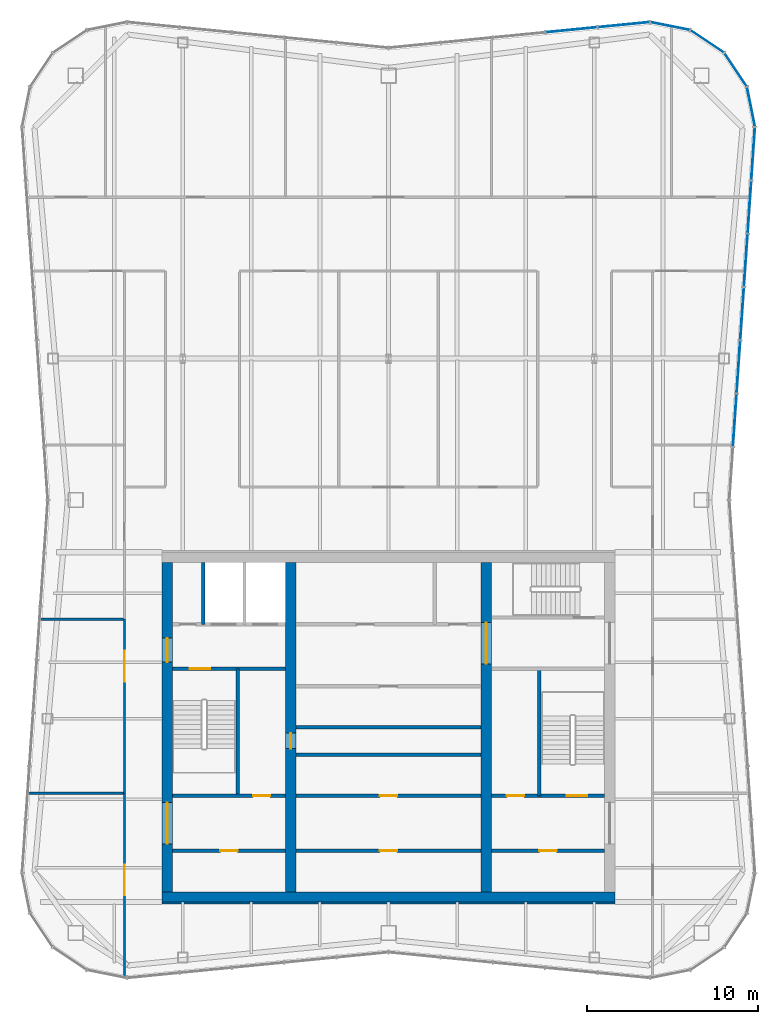
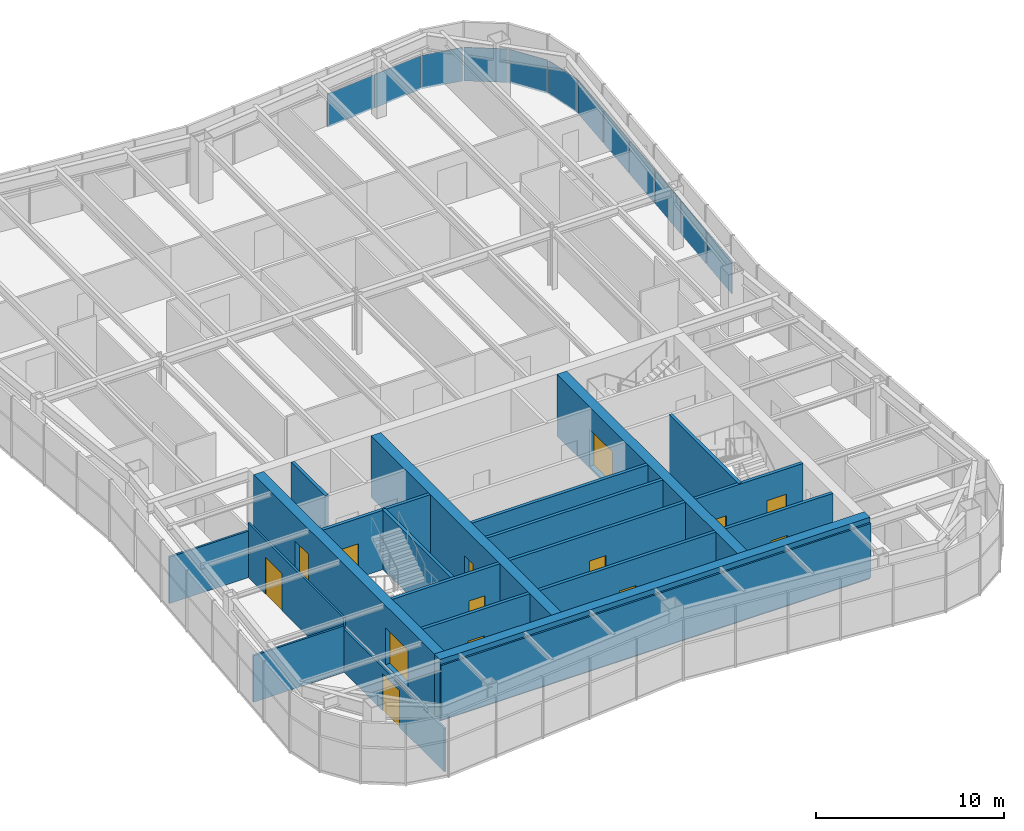
# One storey, part 9 of 13: 21 walls, 14 doors, 12 plates, 14 openings, 3 elements without a shape of their own.
"""IFC4 building model written with IfcOpenShell, lengths in metres."""

from ifc_helpers import new_model, si_unit, direction, frame, frame_2d, origin, origin_2d, place, context, subcontext, project, spatial, rectangle, extrude, material, layer, layer_set, type_object, element, fill, aggregate, save


model = new_model("IFC4")

# Units and contexts
model_context = context("Model", 3, precision=1e-05, world=origin(), true_north=direction((0.0, 1.0)))
body_context = subcontext(model_context, "Body", "Model", "MODEL_VIEW")
ifc_project = project(units=[si_unit("LENGTHUNIT", "METRE"), si_unit("AREAUNIT", "SQUARE_METRE"), si_unit("VOLUMEUNIT", "CUBIC_METRE"), si_unit("PLANEANGLEUNIT", "RADIAN"), si_unit("MASSUNIT", "GRAM", prefix="KILO")], contexts=[model_context])

# Site, building, storey
site_placement = place(None, origin())
site = spatial("IfcSite", under=ifc_project, at=site_placement, CompositionType="ELEMENT")
building_placement = place(site_placement, origin())
building = spatial("IfcBuilding", under=site, at=building_placement, Name="Verdant Reach Tower", CompositionType="ELEMENT")
storey_placement = place(building_placement, frame((0.0, 0.0, 364.0)))
storey = spatial("IfcBuildingStorey", under=building, at=storey_placement, Name="L82 Plant", CompositionType="ELEMENT", Elevation=364.0)

# Curtain wall, plates
ifc_material_1 = material(Name="Anodised aluminium", Category="aluminium")
curtain_wall_type = type_object("IfcCurtainWallType", Name="EN-CW SYSTEM PLANT", PredefinedType="NOTDEFINED", material=ifc_material_1)
curtain_wall_1_placement = place(storey_placement, origin())
curtain_wall_1 = element("IfcCurtainWall", 1, at=curtain_wall_1_placement, inside=storey, type_object=curtain_wall_type, Name="Curtain wall east, L82", PredefinedType="NOTDEFINED")
ifc_material_2 = material(Name="Bronze anodised aluminium solid panel", Category="aluminium")
ifc_layer_1 = layer(ifc_material_2, 0.0400390625)
ifc_layer_set_1 = layer_set([ifc_layer_1], Name="EN-PANEL SOLID")
plate_type = type_object("IfcPlateType", Name="EN-PANEL SOLID", PredefinedType="CURTAIN_PANEL", material=ifc_layer_set_1)
plate_1_placement = place(storey_placement, frame((20.190185546875, 45.902587890625, -0.2001953125), z_axis=(0.0, 0.0, 1.0), x_axis=(0.068802091615, 0.997630328423, 0.0)))
plate_1 = element("IfcPlate", 2, at=plate_1_placement, type_object=plate_type, Name="Solid panel east face part 2 2.1, L82", PredefinedType="CURTAIN_PANEL", context=body_context, shape_type="SweptSolid", body=[
    extrude(rectangle(XDim=3.03857421875, YDim=0.0400390625, at=origin_2d()), origin(), (0.0, 0.0, 1.0), 2.175048828125),
])
plate_2_placement = place(storey_placement, frame((20.404541015625, 49.009765625, -0.2001953125), z_axis=(0.0, 0.0, 1.0), x_axis=(0.068802091615, 0.997630328423, 0.0)))
plate_2 = element("IfcPlate", 3, at=plate_2_placement, type_object=plate_type, Name="Solid panel east face part 2 3.1, L82", PredefinedType="CURTAIN_PANEL", context=body_context, shape_type="SweptSolid", body=[
    extrude(rectangle(XDim=3.03857421875, YDim=0.0400390625, at=origin_2d()), origin(), (0.0, 0.0, 1.0), 2.175048828125),
])
plate_3_placement = place(storey_placement, frame((20.61865234375, 52.11669921875, -0.2001953125), z_axis=(0.0, 0.0, 1.0), x_axis=(0.068802091615, 0.997630328423, 0.0)))
plate_3 = element("IfcPlate", 4, at=plate_3_placement, type_object=plate_type, Name="Solid panel east face part 2 4.1, L82", PredefinedType="CURTAIN_PANEL", context=body_context, shape_type="SweptSolid", body=[
    extrude(rectangle(XDim=3.03857421875, YDim=0.0400390625, at=origin_2d()), origin(), (0.0, 0.0, 1.0), 2.175048828125),
])
plate_4_placement = place(storey_placement, frame((20.8330078125, 55.223876953125, -0.2001953125), z_axis=(0.0, 0.0, 1.0), x_axis=(0.068802091615, 0.997630328423, 0.0)))
plate_4 = element("IfcPlate", 5, at=plate_4_placement, type_object=plate_type, Name="Solid panel east face part 2 5.1, L82", PredefinedType="CURTAIN_PANEL", context=body_context, shape_type="SweptSolid", body=[
    extrude(rectangle(XDim=3.03857421875, YDim=0.0400390625, at=origin_2d()), origin(), (0.0, 0.0, 1.0), 2.175048828125),
])
plate_5_placement = place(storey_placement, frame((21.04736328125, 58.3310546875, -0.2001953125), z_axis=(0.0, 0.0, 1.0), x_axis=(0.068802091615, 0.997630328423, 0.0)))
plate_5 = element("IfcPlate", 6, at=plate_5_placement, type_object=plate_type, Name="Solid panel east face part 2 6.1, L82", PredefinedType="CURTAIN_PANEL", context=body_context, shape_type="SweptSolid", body=[
    extrude(rectangle(XDim=3.03857421875, YDim=0.0400390625, at=origin_2d()), origin(), (0.0, 0.0, 1.0), 2.175048828125),
])
plate_6_placement = place(storey_placement, frame((21.261474609375, 61.446044921875, -0.2001953125), z_axis=(0.0, 0.0, 1.0), x_axis=(0.068469163133, 0.997653233193, 0.0)))
plate_6 = element("IfcPlate", 7, at=plate_6_placement, type_object=plate_type, Name="Solid panel east face part 2 7.1, L82", PredefinedType="CURTAIN_PANEL", context=body_context, shape_type="SweptSolid", body=[
    extrude(rectangle(XDim=3.05419921875, YDim=0.0400390625, at=origin_2d()), origin(), (0.0, 0.0, 1.0), 2.175048828125),
])
aggregate(curtain_wall_1, [plate_1, plate_2, plate_3, plate_4, plate_5, plate_6])

curtain_wall_2_placement = place(storey_placement, origin())
curtain_wall_2 = element("IfcCurtainWall", 8, at=curtain_wall_2_placement, inside=storey, type_object=curtain_wall_type, Name="Curtain wall north-east corner, L82", PredefinedType="NOTDEFINED")
plate_7_placement = place(storey_placement, frame((21.135986328125, 64.174560546875, -0.2001953125), z_axis=(0.0, 0.0, 1.0), x_axis=(-0.195592962334, 0.980685165119, 0.0)))
plate_7 = element("IfcPlate", 9, at=plate_7_placement, type_object=plate_type, Name="Solid panel north-east corner 1.1, L82", PredefinedType="CURTAIN_PANEL", context=body_context, shape_type="SweptSolid", body=[
    extrude(rectangle(XDim=2.303955078125, YDim=0.0400390625, at=origin_2d()), origin(), (0.0, 0.0, 1.0), 2.175048828125),
])
plate_8_placement = place(storey_placement, frame((20.239990234375, 66.334228515625, -0.2001953125), z_axis=(0.0, 0.0, 1.0), x_axis=(-0.555596466265, 0.83145208321, 0.0)))
plate_8 = element("IfcPlate", 10, at=plate_8_placement, type_object=plate_type, Name="Solid panel north-east corner 2.1, L82", PredefinedType="CURTAIN_PANEL", context=body_context, shape_type="SweptSolid", body=[
    extrude(rectangle(XDim=2.3115234375, YDim=0.0400390625, at=origin_2d()), origin(), (0.0, 0.0, 1.0), 2.175048828125),
])
plate_9_placement = place(storey_placement, frame((18.584228515625, 67.989990234375, -0.2001953125), z_axis=(0.0, 0.0, 1.0), x_axis=(-0.83145208321, 0.555596466265, 0.0)))
plate_9 = element("IfcPlate", 11, at=plate_9_placement, type_object=plate_type, Name="Solid panel north-east corner 3.1, L82", PredefinedType="CURTAIN_PANEL", context=body_context, shape_type="SweptSolid", body=[
    extrude(rectangle(XDim=2.3115234375, YDim=0.0400390625, at=origin_2d()), origin(), (0.0, 0.0, 1.0), 2.175048828125),
])
plate_10_placement = place(storey_placement, frame((16.423828125, 68.885986328125, -0.2001953125), z_axis=(0.0, 0.0, 1.0), x_axis=(-0.980705120874, 0.195492879387, 0.0)))
plate_10 = element("IfcPlate", 12, at=plate_10_placement, type_object=plate_type, Name="Solid panel north-east corner 4.1, L82", PredefinedType="CURTAIN_PANEL", context=body_context, shape_type="SweptSolid", body=[
    extrude(rectangle(XDim=2.3056640625, YDim=0.0400390625, at=origin_2d()), origin(), (0.0, 0.0, 1.0), 2.175048828125),
])
aggregate(curtain_wall_2, [plate_7, plate_8, plate_9, plate_10])

curtain_wall_3_placement = place(storey_placement, origin())
curtain_wall_3 = element("IfcCurtainWall", 13, at=curtain_wall_3_placement, inside=storey, type_object=curtain_wall_type, Name="Curtain wall north, L82", PredefinedType="NOTDEFINED")
plate_11_placement = place(storey_placement, frame((13.72216796875, 68.96875, -0.2001953125), z_axis=(0.0, 0.0, 1.0), x_axis=(-0.995238191716, -0.097472774402, 0.0)))
plate_11 = element("IfcPlate", 14, at=plate_11_placement, type_object=plate_type, Name="Solid panel north face part 1 1.1, L82", PredefinedType="CURTAIN_PANEL", context=body_context, shape_type="SweptSolid", body=[
    extrude(rectangle(XDim=3.006103515625, YDim=0.0400390625, at=origin_2d()), origin(), (0.0, 0.0, 1.0), 2.175048828125),
])
plate_12_placement = place(storey_placement, frame((10.663330078125, 68.66845703125, -0.2001953125), z_axis=(0.0, 0.0, 1.0), x_axis=(-0.995197410875, -0.09788826992, 0.0)))
plate_12 = element("IfcPlate", 15, at=plate_12_placement, type_object=plate_type, Name="Solid panel north face part 1 2.1, L82", PredefinedType="CURTAIN_PANEL", context=body_context, shape_type="SweptSolid", body=[
    extrude(rectangle(XDim=2.98876953125, YDim=0.0400390625, at=origin_2d()), origin(), (0.0, 0.0, 1.0), 2.175048828125),
])
aggregate(curtain_wall_3, [plate_11, plate_12])

# Wall, opening, door
ifc_material_3 = material(Name="Gypsum board on steel studs", Category="steel")
ifc_layer_2 = layer(ifc_material_3, 0.199951171875)
ifc_layer_set_2 = layer_set([ifc_layer_2], Name="CO-WALL-ROOM")
wall_type_1 = type_object("IfcWallType", Name="CO-WALL-ROOM", PredefinedType="PARTITIONING", material=ifc_layer_set_2)
wall_1_placement = place(storey_placement, frame((-12.60009765625, 20.800048828125, 0.0), z_axis=(0.0, 0.0, 1.0), x_axis=(1.0, 0.0, 0.0)))
wall_1 = element("IfcWall", 16, at=wall_1_placement, inside=storey, type_object=wall_type_1, Name="Core partition, L82 Plant", PredefinedType="PARTITIONING", context=body_context, shape_type="SweptSolid", body=[
    extrude(rectangle(XDim=6.60009765625, YDim=0.199951171875, at=frame_2d((3.300048828125, 0.0))), origin(), (0.0, 0.0, 1.0), 3.85009765625),
])
opening_1_placement = place(wall_1_placement, frame((2.800048828125, 0.0, 0.0)))
opening_1 = element("IfcOpeningElement", 17, at=opening_1_placement, cuts=wall_1, Name="Opening CD", PredefinedType="OPENING", context=body_context, shape_type="SweptSolid", body=[
    extrude(rectangle(XDim=1.0, YDim=2.10009765625, at=frame_2d((0.5, 1.050048828125))), frame((0.0, 0.10986328125, 0.0), z_axis=(0.0, -1.0, 0.0), x_axis=(1.0, 0.0, 0.0)), (0.0, 0.0, 1.0), 0.219970703125),
])
ifc_material_4 = material(Name="Timber", Category="wood")
door_type_1 = type_object("IfcDoorType", Name="CO-DOOR-ROOM", OperationType="NOTDEFINED", PredefinedType="DOOR", material=ifc_material_4)
door_1_placement = place(opening_1_placement, origin())
door_1 = element("IfcDoor", 18, at=door_1_placement, inside=storey, type_object=door_type_1, Name="Core room door, L82 Plant", OperationType="SINGLE_SWING_RIGHT", OverallHeight=2.10009765625, OverallWidth=1.0, PredefinedType="DOOR", context=body_context, shape_type="SweptSolid", body=[
    extrude(rectangle(XDim=1.0, YDim=2.10009765625, at=frame_2d((0.5, 1.050048828125))), frame((0.0, 0.02490234375, 0.0), z_axis=(0.0, -1.0, 0.0), x_axis=(1.0, 0.0, 0.0)), (0.0, 0.0, 1.0), 0.050048828125),
])
fill(opening_1, door_1)

wall_2_placement = place(storey_placement, frame((-5.39990234375, 20.800048828125, 0.0), z_axis=(0.0, 0.0, 1.0), x_axis=(1.0, 0.0, 0.0)))
wall_2 = element("IfcWall", 19, at=wall_2_placement, inside=storey, type_object=wall_type_1, Name="Core partition, L82 Plant", PredefinedType="PARTITIONING", context=body_context, shape_type="SweptSolid", body=[
    extrude(rectangle(XDim=10.7998046875, YDim=0.199951171875, at=frame_2d((5.39990234375, 0.0))), origin(), (0.0, 0.0, 1.0), 3.85009765625),
])
opening_2_placement = place(wall_2_placement, frame((4.89990234375, 0.0, 0.0)))
opening_2 = element("IfcOpeningElement", 20, at=opening_2_placement, cuts=wall_2, Name="Opening CD", PredefinedType="OPENING", context=body_context, shape_type="SweptSolid", body=[
    extrude(rectangle(XDim=1.0, YDim=2.10009765625, at=frame_2d((0.5, 1.050048828125))), frame((0.0, 0.10986328125, 0.0), z_axis=(0.0, -1.0, 0.0), x_axis=(1.0, 0.0, 0.0)), (0.0, 0.0, 1.0), 0.219970703125),
])
door_2_placement = place(opening_2_placement, origin())
door_2 = element("IfcDoor", 21, at=door_2_placement, inside=storey, type_object=door_type_1, Name="Core room door, L82 Plant", OperationType="SINGLE_SWING_LEFT", OverallHeight=2.10009765625, OverallWidth=1.0, PredefinedType="DOOR", context=body_context, shape_type="SweptSolid", body=[
    extrude(rectangle(XDim=1.0, YDim=2.10009765625, at=frame_2d((0.5, 1.050048828125))), frame((0.0, 0.02490234375, 0.0), z_axis=(0.0, -1.0, 0.0), x_axis=(1.0, 0.0, 0.0)), (0.0, 0.0, 1.0), 0.050048828125),
])
fill(opening_2, door_2)

wall_3_placement = place(storey_placement, frame((6.0, 20.800048828125, 0.0), z_axis=(0.0, 0.0, 1.0), x_axis=(1.0, 0.0, 0.0)))
wall_3 = element("IfcWall", 22, at=wall_3_placement, inside=storey, type_object=wall_type_1, Name="Core partition, L82 Plant", PredefinedType="PARTITIONING", context=body_context, shape_type="SweptSolid", body=[
    extrude(rectangle(XDim=6.60009765625, YDim=0.199951171875, at=frame_2d((3.300048828125, 0.0))), origin(), (0.0, 0.0, 1.0), 3.85009765625),
])
opening_3_placement = place(wall_3_placement, frame((2.800048828125, 0.0, 0.0)))
opening_3 = element("IfcOpeningElement", 23, at=opening_3_placement, cuts=wall_3, Name="Opening CD", PredefinedType="OPENING", context=body_context, shape_type="SweptSolid", body=[
    extrude(rectangle(XDim=1.0, YDim=2.10009765625, at=frame_2d((0.5, 1.050048828125))), frame((0.0, 0.10986328125, 0.0), z_axis=(0.0, -1.0, 0.0), x_axis=(1.0, 0.0, 0.0)), (0.0, 0.0, 1.0), 0.219970703125),
])
door_3_placement = place(opening_3_placement, origin())
door_3 = element("IfcDoor", 24, at=door_3_placement, inside=storey, type_object=door_type_1, Name="Core room door, L82 Plant", OperationType="SINGLE_SWING_LEFT", OverallHeight=2.10009765625, OverallWidth=1.0, PredefinedType="DOOR", context=body_context, shape_type="SweptSolid", body=[
    extrude(rectangle(XDim=1.0, YDim=2.10009765625, at=frame_2d((0.5, 1.050048828125))), frame((0.0, 0.02490234375, 0.0), z_axis=(0.0, -1.0, 0.0), x_axis=(1.0, 0.0, 0.0)), (0.0, 0.0, 1.0), 0.050048828125),
])
fill(opening_3, door_3)

wall_4_placement = place(storey_placement, frame((-5.39990234375, 24.0, 0.0), z_axis=(0.0, 0.0, 1.0), x_axis=(1.0, 0.0, 0.0)))
wall_4 = element("IfcWall", 25, at=wall_4_placement, inside=storey, type_object=wall_type_1, Name="Core partition, L82 Plant", PredefinedType="PARTITIONING", context=body_context, shape_type="SweptSolid", body=[
    extrude(rectangle(XDim=10.7998046875, YDim=0.199951171875, at=frame_2d((5.39990234375, 0.0))), origin(), (0.0, 0.0, 1.0), 3.85009765625),
])
opening_4_placement = place(wall_4_placement, frame((4.89990234375, 0.0, 0.0)))
opening_4 = element("IfcOpeningElement", 26, at=opening_4_placement, cuts=wall_4, Name="Opening CD", PredefinedType="OPENING", context=body_context, shape_type="SweptSolid", body=[
    extrude(rectangle(XDim=1.0, YDim=2.10009765625, at=frame_2d((0.5, 1.050048828125))), frame((0.0, 0.10986328125, 0.0), z_axis=(0.0, -1.0, 0.0), x_axis=(1.0, 0.0, 0.0)), (0.0, 0.0, 1.0), 0.219970703125),
])
door_4_placement = place(opening_4_placement, origin())
door_4 = element("IfcDoor", 27, at=door_4_placement, inside=storey, type_object=door_type_1, Name="Core room door, L82 Plant", OperationType="SINGLE_SWING_RIGHT", OverallHeight=2.10009765625, OverallWidth=1.0, PredefinedType="DOOR", context=body_context, shape_type="SweptSolid", body=[
    extrude(rectangle(XDim=1.0, YDim=2.10009765625, at=frame_2d((0.5, 1.050048828125))), frame((0.0, 0.02490234375, 0.0), z_axis=(0.0, -1.0, 0.0), x_axis=(1.0, 0.0, 0.0)), (0.0, 0.0, 1.0), 0.050048828125),
])
fill(opening_4, door_4)

# Walls
for number, where, z_axis, x_axis, name in (
    (28, (-5.39990234375, 26.39990234375, 0.0), (0.0, 0.0, 1.0), (1.0, 0.0, 0.0), "Core partition, L82 Plant"),
    (29, (-5.39990234375, 28.0, 0.0), (0.0, 0.0, 1.0), (1.0, 0.0, 0.0), "Core partition, L82 Plant"),
):
    element("IfcWall", number, at=place(storey_placement, frame(where, z_axis=z_axis, x_axis=x_axis)), inside=storey, type_object=wall_type_1, Name=name, PredefinedType="PARTITIONING", context=body_context, shape_type="SweptSolid", body=[
        extrude(rectangle(XDim=10.7998046875, YDim=0.199951171875, at=frame_2d((5.39990234375, 0.0))), origin(), (0.0, 0.0, 1.0), 3.85009765625),
    ])
ifc_material_5 = material(Name="Concrete C40/50", Category="concrete")
ifc_layer_3 = layer(ifc_material_5, 0.199951171875)
ifc_layer_set_3 = layer_set([ifc_layer_3], Name="CO-WALL-SHAFT")
wall_type_2 = type_object("IfcWallType", Name="CO-WALL-SHAFT", PredefinedType="PARTITIONING", material=ifc_layer_set_3)
wall_5_placement = place(storey_placement, frame((-10.800048828125, 34.0, 0.0), z_axis=(0.0, 0.0, 1.0), x_axis=(0.0, 1.0, 0.0)))
element("IfcWall", 30, at=wall_5_placement, inside=storey, type_object=wall_type_2, Name="Lift shaft wall, L82 Plant", PredefinedType="PARTITIONING", context=body_context, shape_type="SweptSolid", body=[
    extrude(rectangle(XDim=3.60009765625, YDim=0.199951171875, at=frame_2d((1.800048828125, 0.0))), origin(), (0.0, 0.0, 1.0), 3.85009765625),
])

# Wall, opening, door
ifc_layer_4 = layer(ifc_material_5, 0.199951171875)
ifc_layer_set_4 = layer_set([ifc_layer_4], Name="CO-WALL-STAIR")
wall_type_3 = type_object("IfcWallType", Name="CO-WALL-STAIR", PredefinedType="PARTITIONING", material=ifc_layer_set_4)
wall_6_placement = place(storey_placement, frame((-12.60009765625, 24.0, 0.0), z_axis=(0.0, 0.0, 1.0), x_axis=(1.0, 0.0, 0.0)))
wall_6 = element("IfcWall", 31, at=wall_6_placement, inside=storey, type_object=wall_type_3, Name="Stair enclosure wall, L82 Plant", PredefinedType="PARTITIONING", context=body_context, shape_type="SweptSolid", body=[
    extrude(rectangle(XDim=6.60009765625, YDim=0.199951171875, at=frame_2d((3.300048828125, 0.0))), origin(), (0.0, 0.0, 1.0), 3.85009765625),
])
opening_5_placement = place(wall_6_placement, frame((4.699951171875, 0.0, 0.0)))
opening_5 = element("IfcOpeningElement", 32, at=opening_5_placement, cuts=wall_6, Name="Opening CD", PredefinedType="OPENING", context=body_context, shape_type="SweptSolid", body=[
    extrude(rectangle(XDim=1.0, YDim=2.10009765625, at=frame_2d((0.5, 1.050048828125))), frame((0.0, 0.10986328125, 0.0), z_axis=(0.0, -1.0, 0.0), x_axis=(1.0, 0.0, 0.0)), (0.0, 0.0, 1.0), 0.219970703125),
])
door_5_placement = place(opening_5_placement, origin())
door_5 = element("IfcDoor", 33, at=door_5_placement, inside=storey, type_object=door_type_1, Name="Core room door, L82 Plant", OperationType="SINGLE_SWING_LEFT", OverallHeight=2.10009765625, OverallWidth=1.0, PredefinedType="DOOR", context=body_context, shape_type="SweptSolid", body=[
    extrude(rectangle(XDim=1.0, YDim=2.10009765625, at=frame_2d((0.5, 1.050048828125))), frame((0.0, 0.02490234375, 0.0), z_axis=(0.0, -1.0, 0.0), x_axis=(1.0, 0.0, 0.0)), (0.0, 0.0, 1.0), 0.050048828125),
])
fill(opening_5, door_5)

# Wall, openings, doors
wall_7_placement = place(storey_placement, frame((6.0, 24.0, 0.0), z_axis=(0.0, 0.0, 1.0), x_axis=(1.0, 0.0, 0.0)))
wall_7 = element("IfcWall", 34, at=wall_7_placement, inside=storey, type_object=wall_type_3, Name="Stair enclosure wall, L82 Plant", PredefinedType="PARTITIONING", context=body_context, shape_type="SweptSolid", body=[
    extrude(rectangle(XDim=6.60009765625, YDim=0.199951171875, at=frame_2d((3.300048828125, 0.0))), origin(), (0.0, 0.0, 1.0), 3.85009765625),
])
opening_6_placement = place(wall_7_placement, frame((0.89990234375, 0.0, 0.0)))
opening_6 = element("IfcOpeningElement", 35, at=opening_6_placement, cuts=wall_7, Name="Opening CD", PredefinedType="OPENING", context=body_context, shape_type="SweptSolid", body=[
    extrude(rectangle(XDim=1.0, YDim=2.10009765625, at=frame_2d((0.5, 1.050048828125))), frame((0.0, 0.10986328125, 0.0), z_axis=(0.0, -1.0, 0.0), x_axis=(1.0, 0.0, 0.0)), (0.0, 0.0, 1.0), 0.219970703125),
])
opening_7_placement = place(wall_7_placement, frame((4.39990234375, 0.0, 0.0)))
opening_7 = element("IfcOpeningElement", 36, at=opening_7_placement, cuts=wall_7, Name="Opening SD", PredefinedType="OPENING", context=body_context, shape_type="SweptSolid", body=[
    extrude(rectangle(XDim=1.199951171875, YDim=2.199951171875, at=frame_2d((0.60009765625, 1.10009765625))), frame((0.0, 0.10986328125, 0.0), z_axis=(0.0, -1.0, 0.0), x_axis=(1.0, 0.0, 0.0)), (0.0, 0.0, 1.0), 0.219970703125),
])
door_6_placement = place(opening_6_placement, origin())
door_6 = element("IfcDoor", 37, at=door_6_placement, inside=storey, type_object=door_type_1, Name="Core room door, L82 Plant", OperationType="SINGLE_SWING_RIGHT", OverallHeight=2.10009765625, OverallWidth=1.0, PredefinedType="DOOR", context=body_context, shape_type="SweptSolid", body=[
    extrude(rectangle(XDim=1.0, YDim=2.10009765625, at=frame_2d((0.5, 1.050048828125))), frame((0.0, 0.02490234375, 0.0), z_axis=(0.0, -1.0, 0.0), x_axis=(1.0, 0.0, 0.0)), (0.0, 0.0, 1.0), 0.050048828125),
])
fill(opening_6, door_6)
ifc_material_6 = material(Name="Steel", Category="steel")
door_type_2 = type_object("IfcDoorType", Name="CO-DOOR-STAIR", OperationType="NOTDEFINED", PredefinedType="DOOR", material=ifc_material_6)
door_7_placement = place(opening_7_placement, origin())
door_7 = element("IfcDoor", 38, at=door_7_placement, inside=storey, type_object=door_type_2, Name="Stair door, L82 Plant", OperationType="SINGLE_SWING_RIGHT", OverallHeight=2.199951171875, OverallWidth=1.199951171875, PredefinedType="DOOR", context=body_context, shape_type="SweptSolid", body=[
    extrude(rectangle(XDim=1.199951171875, YDim=2.199951171875, at=frame_2d((0.60009765625, 1.10009765625))), frame((0.0, 0.02490234375, 0.0), z_axis=(0.0, -1.0, 0.0), x_axis=(1.0, 0.0, 0.0)), (0.0, 0.0, 1.0), 0.050048828125),
])
fill(opening_7, door_7)

# Wall, opening, door
wall_8_placement = place(storey_placement, frame((-12.60009765625, 31.39990234375, 0.0), z_axis=(0.0, 0.0, 1.0), x_axis=(1.0, 0.0, 0.0)))
wall_8 = element("IfcWall", 39, at=wall_8_placement, inside=storey, type_object=wall_type_3, Name="Stair enclosure wall, L82 Plant", PredefinedType="PARTITIONING", context=body_context, shape_type="SweptSolid", body=[
    extrude(rectangle(XDim=6.60009765625, YDim=0.199951171875, at=frame_2d((3.300048828125, 0.0))), origin(), (0.0, 0.0, 1.0), 3.85009765625),
])
opening_8_placement = place(wall_8_placement, frame((1.0, 0.0, 0.0)))
opening_8 = element("IfcOpeningElement", 40, at=opening_8_placement, cuts=wall_8, Name="Opening SD", PredefinedType="OPENING", context=body_context, shape_type="SweptSolid", body=[
    extrude(rectangle(XDim=1.199951171875, YDim=2.199951171875, at=frame_2d((0.60009765625, 1.10009765625))), frame((0.0, 0.10986328125, 0.0), z_axis=(0.0, -1.0, 0.0), x_axis=(1.0, 0.0, 0.0)), (0.0, 0.0, 1.0), 0.219970703125),
])
door_8_placement = place(opening_8_placement, origin())
door_8 = element("IfcDoor", 41, at=door_8_placement, inside=storey, type_object=door_type_2, Name="Stair door, L82 Plant", OperationType="SINGLE_SWING_LEFT", OverallHeight=2.199951171875, OverallWidth=1.199951171875, PredefinedType="DOOR", context=body_context, shape_type="SweptSolid", body=[
    extrude(rectangle(XDim=1.199951171875, YDim=2.199951171875, at=frame_2d((0.60009765625, 1.10009765625))), frame((0.0, 0.02490234375, 0.0), z_axis=(0.0, -1.0, 0.0), x_axis=(1.0, 0.0, 0.0)), (0.0, 0.0, 1.0), 0.050048828125),
])
fill(opening_8, door_8)

# Walls
for number, where, z_axis, x_axis, name in (
    (42, (-8.800048828125, 24.0, 0.0), (0.0, 0.0, 1.0), (0.0, 1.0, 0.0), "Stair enclosure wall, L82 Plant"),
    (43, (8.800048828125, 24.0, 0.0), (0.0, 0.0, 1.0), (0.0, 1.0, 0.0), "Stair enclosure wall, L82 Plant"),
):
    element("IfcWall", number, at=place(storey_placement, frame(where, z_axis=z_axis, x_axis=x_axis)), inside=storey, type_object=wall_type_3, Name=name, PredefinedType="PARTITIONING", context=body_context, shape_type="SweptSolid", body=[
        extrude(rectangle(XDim=7.39990234375, YDim=0.199951171875, at=frame_2d((3.699951171875, 0.0))), origin(), (0.0, 0.0, 1.0), 3.85009765625),
    ])
ifc_material_7 = material(Name="Concrete C70/85", Category="concrete")
ifc_layer_5 = layer(ifc_material_7, 0.60009765625)
ifc_layer_set_5 = layer_set([ifc_layer_5], Name="ST-CORE-WALL-600")
wall_type_4 = type_object("IfcWallType", Name="ST-CORE-WALL-600", PredefinedType="SHEAR", material=ifc_layer_set_5)
wall_9_placement = place(storey_placement, frame((-13.199951171875, 18.10009765625, -0.14990234375), z_axis=(0.0, 0.0, 1.0), x_axis=(1.0, 0.0, 0.0)))
element("IfcWall", 44, at=wall_9_placement, inside=storey, type_object=wall_type_4, Name="Core wall S, L82 Plant", PredefinedType="SHEAR", context=body_context, shape_type="SweptSolid", body=[
    extrude(rectangle(XDim=26.39990234375, YDim=0.60009765625, at=frame_2d((13.199951171875, 0.0))), origin(), (0.0, 0.0, 1.0), 4.0),
])

# Wall, openings, doors
wall_10_placement = place(storey_placement, frame((-12.89990234375, 18.39990234375, -0.14990234375), z_axis=(0.0, 0.0, 1.0), x_axis=(0.0, 1.0, 0.0)))
wall_10 = element("IfcWall", 45, at=wall_10_placement, inside=storey, type_object=wall_type_4, Name="Core wall W, L82 Plant", PredefinedType="SHEAR", context=body_context, shape_type="SweptSolid", body=[
    extrude(rectangle(XDim=19.2001953125, YDim=0.60009765625, at=frame_2d((9.60009765625, 0.0))), origin(), (0.0, 0.0, 1.0), 4.0),
])
opening_9_placement = place(wall_10_placement, frame((2.800048828125, 0.0, 0.14990234375)))
opening_9 = element("IfcOpeningElement", 46, at=opening_9_placement, cuts=wall_10, Name="Opening LB", PredefinedType="OPENING", context=body_context, shape_type="SweptSolid", body=[
    extrude(rectangle(XDim=2.39990234375, YDim=2.39990234375, at=frame_2d((1.199951171875, 1.199951171875))), frame((0.0, 0.31005859375, 0.0), z_axis=(0.0, -1.0, 0.0), x_axis=(1.0, 0.0, 0.0)), (0.0, 0.0, 1.0), 0.6201171875),
])
opening_10_placement = place(wall_10_placement, frame((13.39990234375, 0.0, 0.14990234375)))
opening_10 = element("IfcOpeningElement", 47, at=opening_10_placement, cuts=wall_10, Name="Opening FL", PredefinedType="OPENING", context=body_context, shape_type="SweptSolid", body=[
    extrude(rectangle(XDim=1.39990234375, YDim=2.199951171875, at=frame_2d((0.699951171875, 1.10009765625))), frame((0.0, 0.31005859375, 0.0), z_axis=(0.0, -1.0, 0.0), x_axis=(1.0, 0.0, 0.0)), (0.0, 0.0, 1.0), 0.6201171875),
])
door_type_3 = type_object("IfcDoorType", Name="CO-DOOR-FFL", OperationType="NOTDEFINED", PredefinedType="DOOR", material=ifc_material_6)
door_9_placement = place(opening_10_placement, origin())
door_9 = element("IfcDoor", 48, at=door_9_placement, inside=storey, type_object=door_type_3, Name="Core entrance door, L82 Plant", OperationType="SINGLE_SWING_LEFT", OverallHeight=2.199951171875, OverallWidth=1.39990234375, PredefinedType="DOOR", context=body_context, shape_type="SweptSolid", body=[
    extrude(rectangle(XDim=1.39990234375, YDim=2.199951171875, at=frame_2d((0.699951171875, 1.10009765625))), frame((0.0, 0.02490234375, 0.0), z_axis=(0.0, -1.0, 0.0), x_axis=(1.0, 0.0, 0.0)), (0.0, 0.0, 1.0), 0.050048828125),
])
fill(opening_10, door_9)
ifc_material_8 = material(Name="Glass and steel", Category="steel")
door_type_4 = type_object("IfcDoorType", Name="CO-DOOR-LOBBY", OperationType="DOUBLE_DOOR_SINGLE_SWING", PredefinedType="DOOR", material=ifc_material_8)
door_10_placement = place(opening_9_placement, origin())
door_10 = element("IfcDoor", 49, at=door_10_placement, inside=storey, type_object=door_type_4, Name="Core entrance door, L82 Plant", OperationType="DOUBLE_DOOR_SINGLE_SWING", OverallHeight=2.39990234375, OverallWidth=2.39990234375, PredefinedType="DOOR", context=body_context, shape_type="SweptSolid", body=[
    extrude(rectangle(XDim=2.39990234375, YDim=2.39990234375, at=frame_2d((1.199951171875, 1.199951171875))), frame((0.0, 0.02490234375, 0.0), z_axis=(0.0, -1.0, 0.0), x_axis=(1.0, 0.0, 0.0)), (0.0, 0.0, 1.0), 0.050048828125),
])
fill(opening_9, door_10)

# Wall, opening, door
wall_11_placement = place(storey_placement, frame((-5.699951171875, 18.39990234375, -0.14990234375), z_axis=(0.0, 0.0, 1.0), x_axis=(0.0, 1.0, 0.0)))
wall_11 = element("IfcWall", 50, at=wall_11_placement, inside=storey, type_object=wall_type_4, Name="Core wall XW, L82 Plant", PredefinedType="SHEAR", context=body_context, shape_type="SweptSolid", body=[
    extrude(rectangle(XDim=19.2001953125, YDim=0.60009765625, at=frame_2d((9.60009765625, 0.0))), origin(), (0.0, 0.0, 1.0), 4.0),
])
opening_11_placement = place(wall_11_placement, frame((8.35009765625, 0.0, 0.14990234375)))
opening_11 = element("IfcOpeningElement", 51, at=opening_11_placement, cuts=wall_11, Name="Opening RD", PredefinedType="OPENING", context=body_context, shape_type="SweptSolid", body=[
    extrude(rectangle(XDim=0.89990234375, YDim=2.10009765625, at=frame_2d((0.449951171875, 1.050048828125))), frame((0.0, 0.31005859375, 0.0), z_axis=(0.0, -1.0, 0.0), x_axis=(1.0, 0.0, 0.0)), (0.0, 0.0, 1.0), 0.6201171875),
])
door_type_5 = type_object("IfcDoorType", Name="CO-DOOR-RISER", OperationType="NOTDEFINED", PredefinedType="DOOR", material=ifc_material_6)
door_11_placement = place(opening_11_placement, origin())
door_11 = element("IfcDoor", 52, at=door_11_placement, inside=storey, type_object=door_type_5, Name="Riser door, L82 Plant", OperationType="SINGLE_SWING_LEFT", OverallHeight=2.10009765625, OverallWidth=0.89990234375, PredefinedType="DOOR", context=body_context, shape_type="SweptSolid", body=[
    extrude(rectangle(XDim=0.89990234375, YDim=2.10009765625, at=frame_2d((0.449951171875, 1.050048828125))), frame((0.0, 0.02490234375, 0.0), z_axis=(0.0, -1.0, 0.0), x_axis=(1.0, 0.0, 0.0)), (0.0, 0.0, 1.0), 0.050048828125),
])
fill(opening_11, door_11)

wall_12_placement = place(storey_placement, frame((5.699951171875, 18.39990234375, -0.14990234375), z_axis=(0.0, 0.0, 1.0), x_axis=(0.0, 1.0, 0.0)))
wall_12 = element("IfcWall", 53, at=wall_12_placement, inside=storey, type_object=wall_type_4, Name="Core wall XE, L82 Plant", PredefinedType="SHEAR", context=body_context, shape_type="SweptSolid", body=[
    extrude(rectangle(XDim=19.2001953125, YDim=0.60009765625, at=frame_2d((9.60009765625, 0.0))), origin(), (0.0, 0.0, 1.0), 4.0),
])
opening_12_placement = place(wall_12_placement, frame((13.300048828125, 0.0, 0.14990234375)))
opening_12 = element("IfcOpeningElement", 54, at=opening_12_placement, cuts=wall_12, Name="Opening LB", PredefinedType="OPENING", context=body_context, shape_type="SweptSolid", body=[
    extrude(rectangle(XDim=2.39990234375, YDim=2.39990234375, at=frame_2d((1.199951171875, 1.199951171875))), frame((0.0, 0.31005859375, 0.0), z_axis=(0.0, -1.0, 0.0), x_axis=(1.0, 0.0, 0.0)), (0.0, 0.0, 1.0), 0.6201171875),
])
door_12_placement = place(opening_12_placement, origin())
door_12 = element("IfcDoor", 55, at=door_12_placement, inside=storey, type_object=door_type_4, Name="Core entrance door, L82 Plant", OperationType="DOUBLE_DOOR_SINGLE_SWING", OverallHeight=2.39990234375, OverallWidth=2.39990234375, PredefinedType="DOOR", context=body_context, shape_type="SweptSolid", body=[
    extrude(rectangle(XDim=2.39990234375, YDim=2.39990234375, at=frame_2d((1.199951171875, 1.199951171875))), frame((0.0, 0.02490234375, 0.0), z_axis=(0.0, -1.0, 0.0), x_axis=(1.0, 0.0, 0.0)), (0.0, 0.0, 1.0), 0.050048828125),
])
fill(opening_12, door_12)

ifc_material_9 = material(Name="Gypsum board on steel studs, fire rated", Category="steel")
ifc_layer_6 = layer(ifc_material_9, 0.125)
ifc_layer_set_6 = layer_set([ifc_layer_6], Name="SV-W2 Plant wall 125 EI 60")
wall_type_5 = type_object("IfcWallType", Name="SV-W2 Plant wall 125 EI 60", PredefinedType="PARTITIONING", material=ifc_layer_set_6)
wall_13_placement = place(storey_placement, frame((-15.39990234375, 24.14990234375, 0.0), z_axis=(0.0, 0.0, 1.0), x_axis=(0.0, -1.0, 0.0)))
wall_13 = element("IfcWall", 56, at=wall_13_placement, inside=storey, type_object=wall_type_5, Name="Partition L82.09", PredefinedType="PARTITIONING", context=body_context, shape_type="SweptSolid", body=[
    extrude(rectangle(XDim=10.7001953125, YDim=0.125, at=frame_2d((5.35009765625, 0.0))), origin(), (0.0, 0.0, 1.0), 2.81201171875),
])
opening_13_placement = place(wall_13_placement, frame((4.160888671875, 0.0, 0.0)))
opening_13 = element("IfcOpeningElement", 57, at=opening_13_placement, cuts=wall_13, Name="Opening SD3", PredefinedType="OPENING", context=body_context, shape_type="SweptSolid", body=[
    extrude(rectangle(XDim=1.800048828125, YDim=2.39990234375, at=frame_2d((0.89990234375, 1.199951171875))), frame((0.0, 0.072509765625, 0.0), z_axis=(0.0, -1.0, 0.0), x_axis=(1.0, 0.0, 0.0)), (0.0, 0.0, 1.0), 0.14501953125),
])
ifc_material_10 = material(Name="Steel door leaves, fire rated", Category="steel")
door_type_6 = type_object("IfcDoorType", Name="SV-D3 Equipment door 1800x2400 FD60", OperationType="DOUBLE_DOOR_SINGLE_SWING", PredefinedType="DOOR", material=ifc_material_10)
door_13_placement = place(opening_13_placement, origin())
door_13 = element("IfcDoor", 58, at=door_13_placement, inside=storey, type_object=door_type_6, Name="Door L82-004", OperationType="DOUBLE_DOOR_SINGLE_SWING", OverallHeight=2.39990234375, OverallWidth=1.800048828125, PredefinedType="DOOR", context=body_context, shape_type="SweptSolid", body=[
    extrude(rectangle(XDim=1.800048828125, YDim=2.39990234375, at=frame_2d((0.89990234375, 1.199951171875))), frame((0.0, 0.02490234375, 0.0), z_axis=(0.0, -1.0, 0.0), x_axis=(1.0, 0.0, 0.0)), (0.0, 0.0, 1.0), 0.050048828125),
])
fill(opening_13, door_13)

wall_14_placement = place(storey_placement, frame((-15.39990234375, 34.300048828125, 0.0), z_axis=(0.0, 0.0, 1.0), x_axis=(0.0, -1.0, 0.0)))
wall_14 = element("IfcWall", 59, at=wall_14_placement, inside=storey, type_object=wall_type_5, Name="Partition L82.10", PredefinedType="PARTITIONING", context=body_context, shape_type="SweptSolid", body=[
    extrude(rectangle(XDim=10.150146484375, YDim=0.125, at=frame_2d((5.0751953125, 0.0))), origin(), (0.0, 0.0, 1.0), 3.52001953125),
])
opening_14_placement = place(wall_14_placement, frame((1.85009765625, 0.0, 0.0)))
opening_14 = element("IfcOpeningElement", 60, at=opening_14_placement, cuts=wall_14, Name="Opening SD3", PredefinedType="OPENING", context=body_context, shape_type="SweptSolid", body=[
    extrude(rectangle(XDim=1.800048828125, YDim=2.39990234375, at=frame_2d((0.89990234375, 1.199951171875))), frame((0.0, 0.072509765625, 0.0), z_axis=(0.0, -1.0, 0.0), x_axis=(1.0, 0.0, 0.0)), (0.0, 0.0, 1.0), 0.14501953125),
])
door_14_placement = place(opening_14_placement, origin())
door_14 = element("IfcDoor", 61, at=door_14_placement, inside=storey, type_object=door_type_6, Name="Door L82-005", OperationType="DOUBLE_DOOR_SINGLE_SWING", OverallHeight=2.39990234375, OverallWidth=1.800048828125, PredefinedType="DOOR", context=body_context, shape_type="SweptSolid", body=[
    extrude(rectangle(XDim=1.800048828125, YDim=2.39990234375, at=frame_2d((0.89990234375, 1.199951171875))), frame((0.0, 0.02490234375, 0.0), z_axis=(0.0, -1.0, 0.0), x_axis=(1.0, 0.0, 0.0)), (0.0, 0.0, 1.0), 0.050048828125),
])
fill(opening_14, door_14)

# Walls
wall_15_placement = place(storey_placement, frame((-21.00927734375, 24.14990234375, 0.0), z_axis=(0.0, 0.0, 1.0), x_axis=(1.0, 0.0, 0.0)))
element("IfcWall", 62, at=wall_15_placement, inside=storey, type_object=wall_type_5, Name="Partition L82.24", PredefinedType="PARTITIONING", context=body_context, shape_type="SweptSolid", body=[
    extrude(rectangle(XDim=5.546875, YDim=0.125, at=frame_2d((2.7734375, 0.0))), origin(), (0.0, 0.0, 1.0), 3.02001953125),
])
wall_16_placement = place(storey_placement, frame((-20.309326171875, 34.300048828125, 0.0), z_axis=(0.0, 0.0, 1.0), x_axis=(1.0, 0.0, 0.0)))
element("IfcWall", 63, at=wall_16_placement, inside=storey, type_object=wall_type_5, Name="Partition L82.25", PredefinedType="PARTITIONING", context=body_context, shape_type="SweptSolid", body=[
    extrude(rectangle(XDim=4.846923828125, YDim=0.125, at=frame_2d((2.42333984375, 0.0))), origin(), (0.0, 0.0, 1.0), 3.02001953125),
])
wall_17_placement = place(storey_placement, frame((-13.199951171875, 17.75, 0.0), z_axis=(0.0, 0.0, 1.0), x_axis=(1.0, 0.0, 0.0)))
element("IfcWall", 64, at=wall_17_placement, inside=storey, type_object=wall_type_5, Name="Partition L82.37", PredefinedType="PARTITIONING", context=body_context, shape_type="SweptSolid", body=[
    extrude(rectangle(XDim=26.39990234375, YDim=0.125, at=frame_2d((13.199951171875, 0.0))), origin(), (0.0, 0.0, 1.0), 3.52001953125),
])

save(model, "model.ifc")
